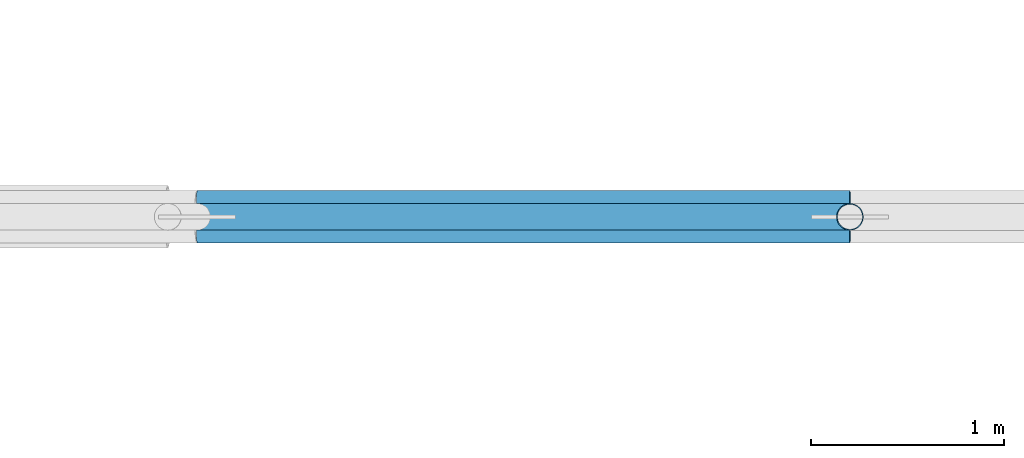
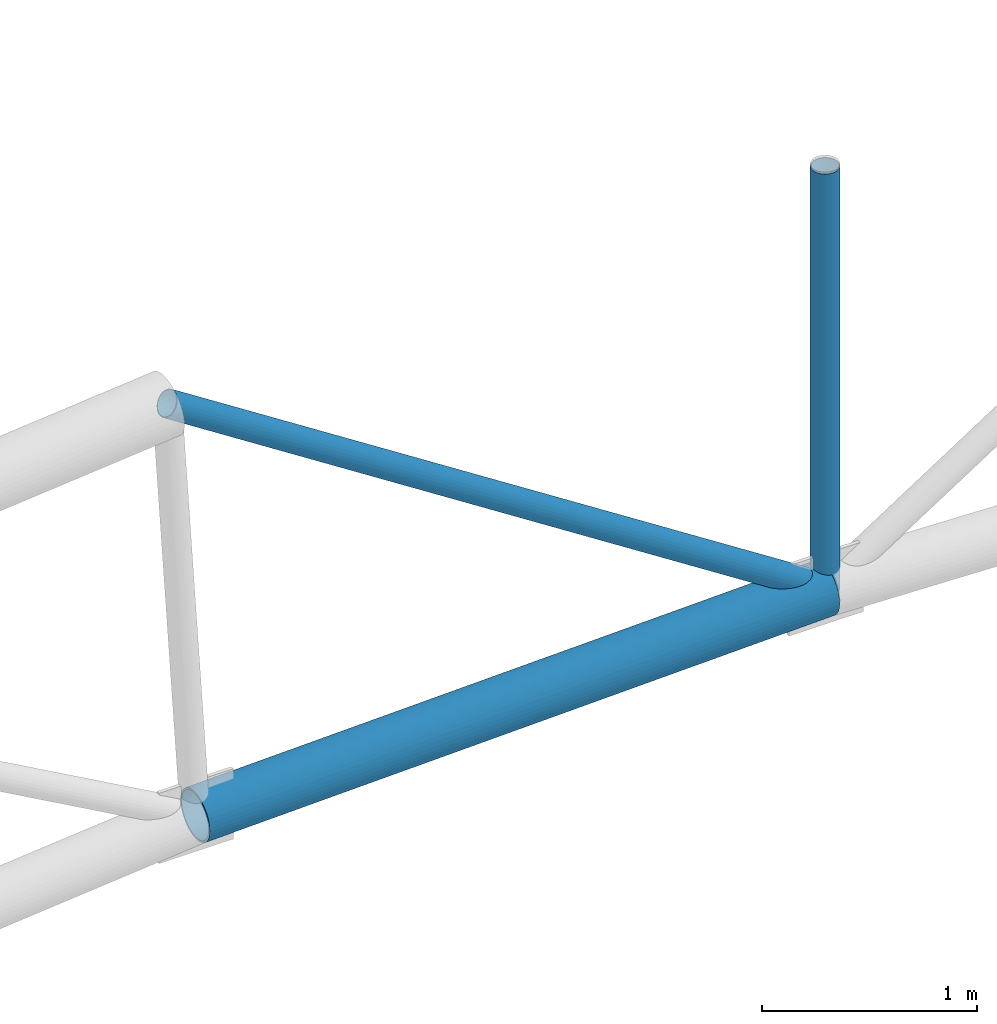
# One storey, part 129 of 321: 3 members.
"""IFC4 building model written with IfcOpenShell, lengths in metres."""

import ifcopenshell
import ifcopenshell.guid

model = None  # the IFC model being written
_history = None  # IfcOwnerHistory: only IFC2X3 demands one
_inside = {}  # id of a spatial element -> (the spatial element, [elements in it])
_under = {}  # id of a project, library or spatial element -> (it, [spatial elements below it])
_declared = {}  # id of a project -> (the project, [libraries it declares])
_typed = {}  # id of a type object -> (the type object, [elements of that type])
_made_of = {}  # id of a material, layer set ... -> (it, [elements and type objects made of it])


def new_model(schema):
    """Start an empty IFC model of exactly this schema.

    Asked for "IFC4X3", IfcOpenShell would pick the latest addendum, in which some entities
    have other attributes; the version numbers below select the first issue.
    IFC2X3 requires an IfcOwnerHistory on every rooted entity: one is made here for all.
    """
    global model, _history
    if schema == "IFC4X3":
        model = ifcopenshell.file(schema_version=(4, 3, 0, 0))
    else:
        model = ifcopenshell.file(schema=schema)
    _inside.clear()
    _under.clear()
    _declared.clear()
    _typed.clear()
    _made_of.clear()
    _history = None
    if model.schema == "IFC2X3":
        org = make("IfcOrganization", Name="unknown")
        user = make(
            "IfcPersonAndOrganization",
            ThePerson=make("IfcPerson", FamilyName="unknown"),
            TheOrganization=org,
        )
        app = make(
            "IfcApplication",
            ApplicationDeveloper=org,
            Version="unknown",
            ApplicationFullName="unknown",
            ApplicationIdentifier="unknown",
        )
        _history = make(
            "IfcOwnerHistory",
            OwningUser=user,
            OwningApplication=app,
            ChangeAction="ADDED",
            CreationDate=0,
        )
    return model


def make(cls, **values):
    """One entity of the class cls with the attributes given. An attribute that is None is left unset."""
    return model.create_entity(
        cls, **{name: value for name, value in values.items() if value is not None}
    )


def rooted(cls, **values):
    """An entity with a GlobalId (a new one), such as an element, a storey or a relation."""
    return make(cls, GlobalId=ifcopenshell.guid.new(), OwnerHistory=_history, **values)


def si_unit(unit_type, name, prefix=None):
    """IfcSIUnit, for example si_unit("LENGTHUNIT", "METRE", prefix="MILLI")."""
    return make("IfcSIUnit", UnitType=unit_type, Prefix=prefix, Name=name)


def assignment(units):
    """IfcUnitAssignment: the units of a project."""
    return None if units is None else make("IfcUnitAssignment", Units=units)


def point(xyz):
    """IfcCartesianPoint."""
    return None if xyz is None else make("IfcCartesianPoint", Coordinates=xyz)


def direction(xyz):
    """IfcDirection."""
    return None if xyz is None else make("IfcDirection", DirectionRatios=xyz)


def frame(location, z_axis=None, x_axis=None):
    """IfcAxis2Placement3D, a coordinate frame: its origin and axes. An axis left out is left unset."""
    return make(
        "IfcAxis2Placement3D",
        Location=point(location),
        Axis=direction(z_axis),
        RefDirection=direction(x_axis),
    )


def frame_2d(location, x_axis=None):
    """IfcAxis2Placement2D, a coordinate frame in the plane: its origin and x axis."""
    return make(
        "IfcAxis2Placement2D", Location=point(location), RefDirection=direction(x_axis)
    )


def origin():
    """The frame at (0, 0, 0) with its axes left unset."""
    return frame((0.0, 0.0, 0.0))


def origin_2d():
    """The frame at (0, 0) in the plane with its x axis left unset."""
    return frame_2d((0.0, 0.0))


def place(relative_to, where):
    """IfcLocalPlacement: puts the frame where relative to a parent placement (None: the world)."""
    return make(
        "IfcLocalPlacement", PlacementRelTo=relative_to, RelativePlacement=where
    )


def context(
    kind, dimensions, precision=None, world=None, true_north=None, identifier=None
):
    """IfcGeometricRepresentationContext, for example the 3D "Model" context."""
    return make(
        "IfcGeometricRepresentationContext",
        ContextIdentifier=identifier,
        ContextType=kind,
        CoordinateSpaceDimension=dimensions,
        Precision=precision,
        WorldCoordinateSystem=world,
        TrueNorth=true_north,
    )


def subcontext(parent, identifier, kind, view, scale=None):
    """IfcGeometricRepresentationSubContext, for example "Body" below "Model"."""
    return make(
        "IfcGeometricRepresentationSubContext",
        ContextIdentifier=identifier,
        ContextType=kind,
        ParentContext=parent,
        TargetScale=scale,
        TargetView=view,
    )


def project(units=None, contexts=None):
    """IfcProject with its units and contexts."""
    return rooted(
        "IfcProject",
        Name="project",
        RepresentationContexts=contexts,
        UnitsInContext=assignment(units),
    )


def spatial(cls, under=None, at=None, **own):
    """A site, building, storey or space (cls), placed at a placement, below another one or the project."""
    s = rooted(cls, ObjectPlacement=at, **own)
    if under is not None:
        _under.setdefault(under.id(), (under, []))[1].append(s)
    return s


def profile(cls, at=None, kind="AREA", **sizes):
    """A parametric profile (cls). Its sizes go by their IFC names, for example OverallWidth=200.0."""
    return make(cls, ProfileType=kind, Position=at, **sizes)


def hollow_circle(**sizes):
    """IfcCircleHollowProfileDef."""
    return profile("IfcCircleHollowProfileDef", **sizes)


def extrude(swept, where, along, depth):
    """IfcExtrudedAreaSolid: the profile swept, set in the frame where, extruded along a direction by depth."""
    return make(
        "IfcExtrudedAreaSolid",
        SweptArea=swept,
        Position=where,
        ExtrudedDirection=direction(along),
        Depth=depth,
    )


def shape(context_of_items, identifier, shape_type, items):
    """IfcShapeRepresentation: the items that make up one representation, for example the "Body"."""
    return make(
        "IfcShapeRepresentation",
        ContextOfItems=context_of_items,
        RepresentationIdentifier=identifier,
        RepresentationType=shape_type,
        Items=items,
    )


def material(Name=None, Category=None):
    """IfcMaterial."""
    return make("IfcMaterial", Name=Name, Category=Category)


def material_profile(
    of_material, cross_section, Name=None, Category=None, Priority=None
):
    """IfcMaterialProfile: a cross section and its material."""
    return make(
        "IfcMaterialProfile",
        Name=Name,
        Material=of_material,
        Profile=cross_section,
        Priority=Priority,
        Category=Category,
    )


def profile_set(profiles, Name=None, composite=None):
    """IfcMaterialProfileSet."""
    return make(
        "IfcMaterialProfileSet",
        Name=Name,
        MaterialProfiles=profiles,
        CompositeProfile=composite,
    )


def made_of(thing, what):
    """Note that an element or type object is made of a material, layer set ...; save() writes the relation."""
    if what is not None:
        _made_of.setdefault(what.id(), (what, []))[1].append(thing)
    return thing


def type_object(cls, material=None, **own):
    """A type object (cls), such as IfcWallType, which elements share."""
    return made_of(rooted(cls, **own), material)


def element(
    cls,
    number,
    at=None,
    inside=None,
    cuts=None,
    type_object=None,
    material=None,
    context=None,
    identifier="Body",
    shape_type=None,
    held_by="IfcProductDefinitionShape",
    body=None,
    shapes=None,
    **own,
):
    """One element of the class cls, such as IfcWall. Its Tag is "e" and its number.

    at: its placement. inside: the storey or other place that contains it. cuts: it is an
    opening in that element (IfcRelVoidsElement). A single representation is given by context,
    identifier, shape_type and body (its items); several are given by shapes. held_by: the class
    of the entity that holds the representations. save() writes the other relations.
    """
    e = rooted(cls, Tag="e%d" % number, ObjectPlacement=at, **own)
    if body is not None:
        shapes = [shape(context, identifier, shape_type, body)]
    if shapes is not None:
        e.Representation = make(held_by, Representations=shapes)
    if inside is not None:
        _inside.setdefault(inside.id(), (inside, []))[1].append(e)
    if cuts is not None:
        rooted(
            "IfcRelVoidsElement", RelatingBuildingElement=cuts, RelatedOpeningElement=e
        )
    if type_object is not None:
        _typed.setdefault(type_object.id(), (type_object, []))[1].append(e)
    return made_of(e, material)


def aggregate(whole, parts):
    """IfcRelAggregates: a whole, such as a stair, and the parts it consists of."""
    return rooted("IfcRelAggregates", RelatingObject=whole, RelatedObjects=parts)


def save(model, path):
    """Write the relations noted so far, then the file.

    IfcRelAggregates (storeys below a building ...), IfcRelContainedInSpatialStructure (elements
    in a storey), IfcRelDefinesByType, IfcRelAssociatesMaterial and IfcRelDeclares: one each for
    every whole, place, type object, material and project.
    """
    for whole, parts in _under.values():
        aggregate(whole, parts)
    for where, things in _inside.values():
        rooted(
            "IfcRelContainedInSpatialStructure",
            RelatedElements=things,
            RelatingStructure=where,
        )
    for kind, things in _typed.values():
        rooted("IfcRelDefinesByType", RelatedObjects=things, RelatingType=kind)
    for what, things in _made_of.values():
        rooted("IfcRelAssociatesMaterial", RelatedObjects=things, RelatingMaterial=what)
    for by, libraries in _declared.values():
        rooted("IfcRelDeclares", RelatingContext=by, RelatedDefinitions=libraries)
    model.write(path)


model = new_model("IFC4")

# Units and contexts
model_context = context("Model", 3, precision=1e-05, world=origin(), true_north=direction((0.0, 1.0)))
body_context = subcontext(model_context, "Body", "Model", "MODEL_VIEW")
ifc_project = project(units=[si_unit("LENGTHUNIT", "METRE"), si_unit("AREAUNIT", "SQUARE_METRE"), si_unit("VOLUMEUNIT", "CUBIC_METRE"), si_unit("PLANEANGLEUNIT", "RADIAN"), si_unit("MASSUNIT", "GRAM", prefix="KILO")], contexts=[model_context])

# Site, building, storey
site_placement = place(None, origin())
site = spatial("IfcSite", under=ifc_project, at=site_placement, CompositionType="ELEMENT")
building_placement = place(site_placement, origin())
building = spatial("IfcBuilding", under=site, at=building_placement, Name="Ravi Spectrum Wholesale Market", CompositionType="ELEMENT")
storey_placement = place(building_placement, frame((0.0, 0.0, 10.800048828125)))
storey = spatial("IfcBuildingStorey", under=building, at=storey_placement, Name="L02", CompositionType="ELEMENT", Elevation=10.800048828125)

# Members
ifc_material_1 = material(Name="Steel S355", Category="steel")
ifc_material_profile_1 = material_profile(ifc_material_1, hollow_circle(Radius=0.06982421875, WallThickness=0.0048828125, at=origin_2d()))
ifc_profile_set_1 = profile_set([ifc_material_profile_1], Name="Steel S355")
member_type_1 = type_object("IfcMemberType", Name="CHS 139.7x5 brace", PredefinedType="BRACE", material=ifc_profile_set_1)
member_1_placement = place(storey_placement, frame((170.459228515625, 102.0, 5.2880859375), z_axis=(0.839894736946, 0.0, -0.542749325978), x_axis=(0.0, 1.0, 0.0)))
element("IfcMember", 1, at=member_1_placement, inside=storey, type_object=member_type_1, Name="H2-MB-L02-159", PredefinedType="BRACE", context=body_context, shape_type="SweptSolid", body=[
    extrude(hollow_circle(Radius=0.06982421875, WallThickness=0.0048828125, at=origin_2d()), origin(), (0.0, 0.0, 1.0), 4.2158203125),
])
ifc_material_2 = material(Name="Steel S355", Category="steel")
ifc_material_profile_2 = material_profile(ifc_material_2, hollow_circle(Radius=0.06982421875, WallThickness=0.0048828125, at=origin_2d()))
ifc_profile_set_2 = profile_set([ifc_material_profile_2], Name="Steel S355")
member_type_2 = type_object("IfcMemberType", Name="CHS 139.7x5 post", PredefinedType="POST", material=ifc_profile_set_2)
member_2_placement = place(storey_placement, frame((174.0, 102.0, 5.39990234375), z_axis=(0.0, 0.0, -1.0), x_axis=(1.0, 0.0, 0.0)))
element("IfcMember", 2, at=member_2_placement, inside=storey, type_object=member_type_2, Name="H2-MB-L02-147", PredefinedType="POST", context=body_context, shape_type="SweptSolid", body=[
    extrude(hollow_circle(Radius=0.06982421875, WallThickness=0.0048828125, at=origin_2d()), origin(), (0.0, 0.0, 1.0), 2.39990234375),
])
ifc_material_3 = material(Name="Steel S355", Category="steel")
ifc_material_profile_3 = material_profile(ifc_material_3, hollow_circle(Radius=0.136474609375, WallThickness=0.010009765625, at=origin_2d()))
ifc_profile_set_3 = profile_set([ifc_material_profile_3], Name="Steel S355")
member_type_3 = type_object("IfcMemberType", Name="CHS 273x10 chord", PredefinedType="CHORD", material=ifc_profile_set_3)
member_3_placement = place(storey_placement, frame((170.61083984375, 102.0, 2.892822265625), z_axis=(0.999500345993, 0.0, 0.031607884447), x_axis=(0.0, 1.0, 0.0)))
element("IfcMember", 3, at=member_3_placement, inside=storey, type_object=member_type_3, Name="H2-MB-L02-133", PredefinedType="CHORD", context=body_context, shape_type="SweptSolid", body=[
    extrude(hollow_circle(Radius=0.136474609375, WallThickness=0.010009765625, at=origin_2d()), origin(), (0.0, 0.0, 1.0), 3.390869140625),
])

save(model, "model.ifc")
